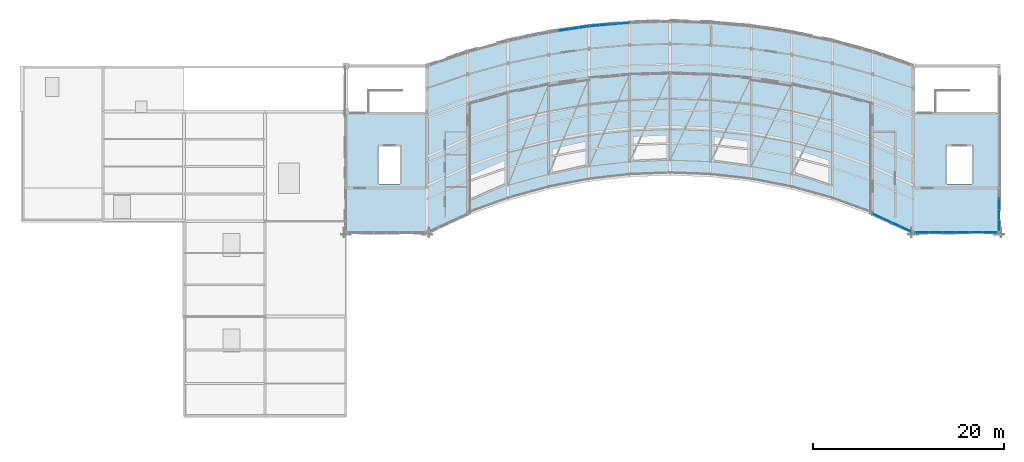
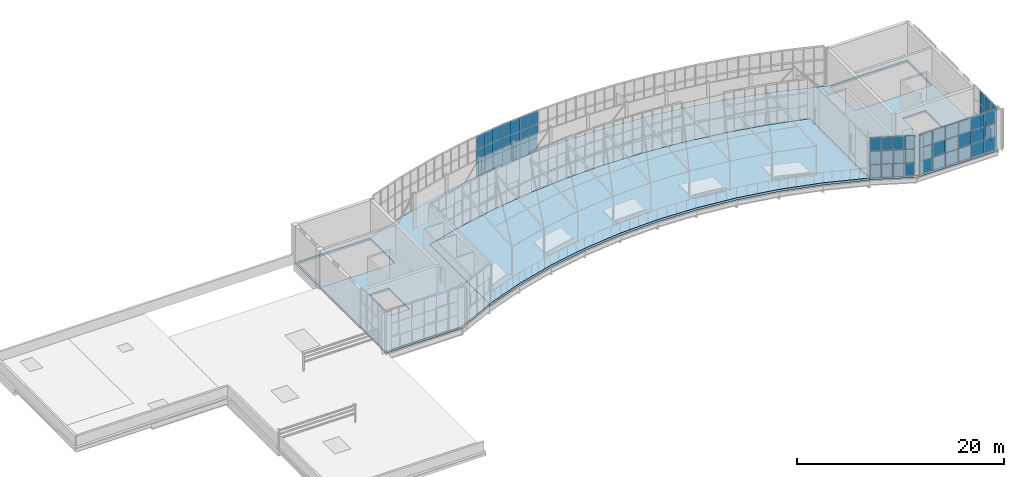
# One storey, part 27 of 35: 60 plates, 2 slabs, 5 elements without a shape of their own.
"""IFC4 building model written with IfcOpenShell, lengths in metres."""

from ifc_helpers import new_model, si_unit, direction, frame, origin, origin_2d, place, context, subcontext, project, spatial, polyline, rectangle, outline, extrude, material, layer, layer_set, type_object, element, aggregate, save


model = new_model("IFC4")

# Units and contexts
model_context = context("Model", 3, precision=1e-05, world=origin(), true_north=direction((0.0, 1.0)))
body_context = subcontext(model_context, "Body", "Model", "MODEL_VIEW")
ifc_project = project(units=[si_unit("LENGTHUNIT", "METRE"), si_unit("AREAUNIT", "SQUARE_METRE"), si_unit("VOLUMEUNIT", "CUBIC_METRE"), si_unit("PLANEANGLEUNIT", "RADIAN"), si_unit("MASSUNIT", "GRAM", prefix="KILO")], contexts=[model_context])

# Site, building, storey
site_placement = place(None, origin())
site = spatial("IfcSite", under=ifc_project, at=site_placement, CompositionType="ELEMENT")
building_placement = place(site_placement, origin())
building = spatial("IfcBuilding", under=site, at=building_placement, Name="Solvikara Media Centre", CompositionType="ELEMENT")
storey_placement = place(building_placement, frame((0.0, 0.0, 29.39990234375)))
storey = spatial("IfcBuildingStorey", under=building, at=storey_placement, Name="L06", CompositionType="ELEMENT", Elevation=29.39990234375)

# Curtain wall, plates
ifc_material_1 = material(Name="Anodised aluminium EN AW-6063", Category="aluminium")
curtain_wall_type = type_object("IfcCurtainWallType", Name="CW-13", PredefinedType="NOTDEFINED", material=ifc_material_1)
curtain_wall_1_placement = place(storey_placement, origin())
curtain_wall_1 = element("IfcCurtainWall", 1, at=curtain_wall_1_placement, inside=storey, type_object=curtain_wall_type, Name="CW-L06-NARC-03", PredefinedType="NOTDEFINED")
ifc_material_2 = material(Name="Laminated solar-control cyan vision glass", Category="glass")
ifc_layer_1 = layer(ifc_material_2, 0.035888671875)
ifc_layer_set_1 = layer_set([ifc_layer_1], Name="Laminated solar-control cyan vision glass")
plate_type_1 = type_object("IfcPlateType", Name="PN-04", PredefinedType="CURTAIN_PANEL", material=ifc_layer_set_1)
plate_1_placement = place(storey_placement, frame((90.85302734375, 40.568115234375, 0.03466796875), z_axis=(0.0, 0.0, 1.0), x_axis=(0.989005541908, 0.147878457102, 0.0)))
plate_1 = element("IfcPlate", 2, at=plate_1_placement, type_object=plate_type_1, Name="CW-L06-NARC-03-P0100", PredefinedType="CURTAIN_PANEL", context=body_context, shape_type="SweptSolid", body=[
    extrude(rectangle(XDim=1.027099609375, YDim=0.035888671875, at=origin_2d()), origin(), (0.0, 0.0, 1.0), 1.556884765625),
])
plate_2_placement = place(storey_placement, frame((90.85302734375, 40.568115234375, 3.20849609375), z_axis=(0.0, 0.0, 1.0), x_axis=(0.989005541908, 0.147878457102, 0.0)))
plate_2 = element("IfcPlate", 3, at=plate_2_placement, type_object=plate_type_1, Name="CW-L06-NARC-03-P0102", PredefinedType="CURTAIN_PANEL", context=body_context, shape_type="SweptSolid", body=[
    extrude(rectangle(XDim=1.027099609375, YDim=0.035888671875, at=origin_2d()), origin(), (0.0, 0.0, 1.0), 1.556884765625),
])
plate_3_placement = place(storey_placement, frame((91.89794921875, 40.72509765625, 1.62158203125), z_axis=(0.0, 0.0, 1.0), x_axis=(0.989005541908, 0.147878457102, 0.0)))
plate_3 = element("IfcPlate", 4, at=plate_3_placement, type_object=plate_type_1, Name="CW-L06-NARC-03-P0201", PredefinedType="CURTAIN_PANEL", context=body_context, shape_type="SweptSolid", body=[
    extrude(rectangle(XDim=1.027099609375, YDim=0.035888671875, at=origin_2d()), origin(), (0.0, 0.0, 1.0), 1.556884765625),
])
plate_4_placement = place(storey_placement, frame((91.89794921875, 40.72509765625, 3.20849609375), z_axis=(0.0, 0.0, 1.0), x_axis=(0.989005541908, 0.147878457102, 0.0)))
plate_4 = element("IfcPlate", 5, at=plate_4_placement, type_object=plate_type_1, Name="CW-L06-NARC-03-P0202", PredefinedType="CURTAIN_PANEL", context=body_context, shape_type="SweptSolid", body=[
    extrude(rectangle(XDim=1.027099609375, YDim=0.035888671875, at=origin_2d()), origin(), (0.0, 0.0, 1.0), 1.556884765625),
])
plate_5_placement = place(storey_placement, frame((92.94189453125, 40.881103515625, 0.03466796875), z_axis=(0.0, 0.0, 1.0), x_axis=(0.989005541908, 0.147878457102, 0.0)))
plate_5 = element("IfcPlate", 6, at=plate_5_placement, type_object=plate_type_1, Name="CW-L06-NARC-03-P0300", PredefinedType="CURTAIN_PANEL", context=body_context, shape_type="SweptSolid", body=[
    extrude(rectangle(XDim=1.027099609375, YDim=0.035888671875, at=origin_2d()), origin(), (0.0, 0.0, 1.0), 1.556884765625),
])
plate_6_placement = place(storey_placement, frame((92.94189453125, 40.881103515625, 1.62158203125), z_axis=(0.0, 0.0, 1.0), x_axis=(0.989005541908, 0.147878457102, 0.0)))
plate_6 = element("IfcPlate", 7, at=plate_6_placement, type_object=plate_type_1, Name="CW-L06-NARC-03-P0301", PredefinedType="CURTAIN_PANEL", context=body_context, shape_type="SweptSolid", body=[
    extrude(rectangle(XDim=1.027099609375, YDim=0.035888671875, at=origin_2d()), origin(), (0.0, 0.0, 1.0), 1.556884765625),
])

curtain_wall_2_placement = place(storey_placement, origin())
curtain_wall_2 = element("IfcCurtainWall", 8, at=curtain_wall_2_placement, inside=storey, type_object=curtain_wall_type, Name="CW-L06-NARC-04", PredefinedType="NOTDEFINED")
plate_7_placement = place(storey_placement, frame((94.05810546875, 41.012939453125, 0.03466796875), z_axis=(0.0, 0.0, 1.0), x_axis=(0.99608438842, 0.088407528781, 0.0)))
plate_7 = element("IfcPlate", 9, at=plate_7_placement, type_object=plate_type_1, Name="CW-L06-NARC-04-P0000", PredefinedType="CURTAIN_PANEL", context=body_context, shape_type="SweptSolid", body=[
    extrude(rectangle(XDim=1.01904296875, YDim=0.035888671875, at=origin_2d()), origin(), (0.0, 0.0, 1.0), 1.556884765625),
])
plate_8_placement = place(storey_placement, frame((95.10302734375, 41.10595703125, 3.20849609375), z_axis=(0.0, 0.0, 1.0), x_axis=(0.99608438842, 0.088407528781, 0.0)))
plate_8 = element("IfcPlate", 10, at=plate_8_placement, type_object=plate_type_1, Name="CW-L06-NARC-04-P0102", PredefinedType="CURTAIN_PANEL", context=body_context, shape_type="SweptSolid", body=[
    extrude(rectangle(XDim=1.01904296875, YDim=0.035888671875, at=origin_2d()), origin(), (0.0, 0.0, 1.0), 1.556884765625),
])
plate_9_placement = place(storey_placement, frame((97.193115234375, 41.2919921875, 3.20849609375), z_axis=(0.0, 0.0, 1.0), x_axis=(0.99608438842, 0.088407528781, 0.0)))
plate_9 = element("IfcPlate", 11, at=plate_9_placement, type_object=plate_type_1, Name="CW-L06-NARC-04-P0302", PredefinedType="CURTAIN_PANEL", context=body_context, shape_type="SweptSolid", body=[
    extrude(rectangle(XDim=1.01904296875, YDim=0.035888671875, at=origin_2d()), origin(), (0.0, 0.0, 1.0), 1.556884765625),
])

curtain_wall_3_placement = place(storey_placement, origin())
curtain_wall_3 = element("IfcCurtainWall", 12, at=curtain_wall_3_placement, inside=storey, type_object=curtain_wall_type, Name="CW-L06-SARC-11", PredefinedType="NOTDEFINED")
plate_10_placement = place(storey_placement, frame((123.778076171875, 21.035888671875, 0.03466796875), z_axis=(0.0, 0.0, 1.0), x_axis=(0.908544639849, -0.417787789915, 0.0)))
plate_10 = element("IfcPlate", 13, at=plate_10_placement, type_object=plate_type_1, Name="CW-L06-SARC-11-P0000", PredefinedType="CURTAIN_PANEL", context=body_context, shape_type="SweptSolid", body=[
    extrude(rectangle(XDim=1.06298828125, YDim=0.035888671875, at=origin_2d()), origin(), (0.0, 0.0, 1.0), 1.556884765625),
])
plate_11_placement = place(storey_placement, frame((123.778076171875, 21.035888671875, 1.62158203125), z_axis=(0.0, 0.0, 1.0), x_axis=(0.908544639849, -0.417787789915, 0.0)))
plate_11 = element("IfcPlate", 14, at=plate_11_placement, type_object=plate_type_1, Name="CW-L06-SARC-11-P0001", PredefinedType="CURTAIN_PANEL", context=body_context, shape_type="SweptSolid", body=[
    extrude(rectangle(XDim=1.06298828125, YDim=0.035888671875, at=origin_2d()), origin(), (0.0, 0.0, 1.0), 1.556884765625),
])
plate_12_placement = place(storey_placement, frame((123.778076171875, 21.035888671875, 3.20849609375), z_axis=(0.0, 0.0, 1.0), x_axis=(0.908544639849, -0.417787789915, 0.0)))
plate_12 = element("IfcPlate", 15, at=plate_12_placement, type_object=plate_type_1, Name="CW-L06-SARC-11-P0002", PredefinedType="CURTAIN_PANEL", context=body_context, shape_type="SweptSolid", body=[
    extrude(rectangle(XDim=1.06298828125, YDim=0.035888671875, at=origin_2d()), origin(), (0.0, 0.0, 1.0), 1.556884765625),
])
plate_13_placement = place(storey_placement, frame((124.77099609375, 20.5791015625, 0.03466796875), z_axis=(0.0, 0.0, 1.0), x_axis=(0.908544639849, -0.417787789915, 0.0)))
plate_13 = element("IfcPlate", 16, at=plate_13_placement, type_object=plate_type_1, Name="CW-L06-SARC-11-P0100", PredefinedType="CURTAIN_PANEL", context=body_context, shape_type="SweptSolid", body=[
    extrude(rectangle(XDim=1.06298828125, YDim=0.035888671875, at=origin_2d()), origin(), (0.0, 0.0, 1.0), 1.556884765625),
])
plate_14_placement = place(storey_placement, frame((124.77099609375, 20.5791015625, 1.62158203125), z_axis=(0.0, 0.0, 1.0), x_axis=(0.908544639849, -0.417787789915, 0.0)))
plate_14 = element("IfcPlate", 17, at=plate_14_placement, type_object=plate_type_1, Name="CW-L06-SARC-11-P0101", PredefinedType="CURTAIN_PANEL", context=body_context, shape_type="SweptSolid", body=[
    extrude(rectangle(XDim=1.06298828125, YDim=0.035888671875, at=origin_2d()), origin(), (0.0, 0.0, 1.0), 1.556884765625),
])
plate_15_placement = place(storey_placement, frame((124.77099609375, 20.5791015625, 3.20849609375), z_axis=(0.0, 0.0, 1.0), x_axis=(0.908544639849, -0.417787789915, 0.0)))
plate_15 = element("IfcPlate", 18, at=plate_15_placement, type_object=plate_type_1, Name="CW-L06-SARC-11-P0102", PredefinedType="CURTAIN_PANEL", context=body_context, shape_type="SweptSolid", body=[
    extrude(rectangle(XDim=1.06298828125, YDim=0.035888671875, at=origin_2d()), origin(), (0.0, 0.0, 1.0), 1.556884765625),
])
plate_16_placement = place(storey_placement, frame((125.763916015625, 20.123046875, 0.03466796875), z_axis=(0.0, 0.0, 1.0), x_axis=(0.908544639849, -0.417787789915, 0.0)))
plate_16 = element("IfcPlate", 19, at=plate_16_placement, type_object=plate_type_1, Name="CW-L06-SARC-11-P0200", PredefinedType="CURTAIN_PANEL", context=body_context, shape_type="SweptSolid", body=[
    extrude(rectangle(XDim=1.06298828125, YDim=0.035888671875, at=origin_2d()), origin(), (0.0, 0.0, 1.0), 1.556884765625),
])
plate_17_placement = place(storey_placement, frame((125.763916015625, 20.123046875, 1.62158203125), z_axis=(0.0, 0.0, 1.0), x_axis=(0.908544639849, -0.417787789915, 0.0)))
plate_17 = element("IfcPlate", 20, at=plate_17_placement, type_object=plate_type_1, Name="CW-L06-SARC-11-P0201", PredefinedType="CURTAIN_PANEL", context=body_context, shape_type="SweptSolid", body=[
    extrude(rectangle(XDim=1.06298828125, YDim=0.035888671875, at=origin_2d()), origin(), (0.0, 0.0, 1.0), 1.556884765625),
])
plate_18_placement = place(storey_placement, frame((126.756103515625, 19.666015625, 0.03466796875), z_axis=(0.0, 0.0, 1.0), x_axis=(0.908544639849, -0.417787789915, 0.0)))
plate_18 = element("IfcPlate", 21, at=plate_18_placement, type_object=plate_type_1, Name="CW-L06-SARC-11-P0300", PredefinedType="CURTAIN_PANEL", context=body_context, shape_type="SweptSolid", body=[
    extrude(rectangle(XDim=1.06298828125, YDim=0.035888671875, at=origin_2d()), origin(), (0.0, 0.0, 1.0), 1.556884765625),
])
plate_19_placement = place(storey_placement, frame((126.756103515625, 19.666015625, 1.62158203125), z_axis=(0.0, 0.0, 1.0), x_axis=(0.908544639849, -0.417787789915, 0.0)))
plate_19 = element("IfcPlate", 22, at=plate_19_placement, type_object=plate_type_1, Name="CW-L06-SARC-11-P0301", PredefinedType="CURTAIN_PANEL", context=body_context, shape_type="SweptSolid", body=[
    extrude(rectangle(XDim=1.06298828125, YDim=0.035888671875, at=origin_2d()), origin(), (0.0, 0.0, 1.0), 1.556884765625),
])
plate_20_placement = place(storey_placement, frame((126.756103515625, 19.666015625, 3.20849609375), z_axis=(0.0, 0.0, 1.0), x_axis=(0.908544639849, -0.417787789915, 0.0)))
plate_20 = element("IfcPlate", 23, at=plate_20_placement, type_object=plate_type_1, Name="CW-L06-SARC-11-P0302", PredefinedType="CURTAIN_PANEL", context=body_context, shape_type="SweptSolid", body=[
    extrude(rectangle(XDim=1.06298828125, YDim=0.035888671875, at=origin_2d()), origin(), (0.0, 0.0, 1.0), 1.556884765625),
])

curtain_wall_4_placement = place(storey_placement, origin())
curtain_wall_4 = element("IfcCurtainWall", 24, at=curtain_wall_4_placement, inside=storey, type_object=curtain_wall_type, Name="CW-L06-BHES", PredefinedType="NOTDEFINED")
plate_21_placement = place(storey_placement, frame((128.428955078125, 19.323974609375, 0.03466796875), z_axis=(0.0, 0.0, 1.0), x_axis=(1.0, 0.0, 0.0)))
plate_21 = element("IfcPlate", 25, at=plate_21_placement, type_object=plate_type_1, Name="CW-L06-BHES-P0000", PredefinedType="CURTAIN_PANEL", context=body_context, shape_type="SweptSolid", body=[
    extrude(rectangle(XDim=1.39794921875, YDim=0.035888671875, at=origin_2d()), origin(), (0.0, 0.0, 1.0), 1.556884765625),
])
plate_22_placement = place(storey_placement, frame((128.428955078125, 19.323974609375, 1.62158203125), z_axis=(0.0, 0.0, 1.0), x_axis=(1.0, 0.0, 0.0)))
plate_22 = element("IfcPlate", 26, at=plate_22_placement, type_object=plate_type_1, Name="CW-L06-BHES-P0001", PredefinedType="CURTAIN_PANEL", context=body_context, shape_type="SweptSolid", body=[
    extrude(rectangle(XDim=1.39794921875, YDim=0.035888671875, at=origin_2d()), origin(), (0.0, 0.0, 1.0), 1.556884765625),
])
plate_23_placement = place(storey_placement, frame((128.428955078125, 19.323974609375, 3.20849609375), z_axis=(0.0, 0.0, 1.0), x_axis=(1.0, 0.0, 0.0)))
plate_23 = element("IfcPlate", 27, at=plate_23_placement, type_object=plate_type_1, Name="CW-L06-BHES-P0002", PredefinedType="CURTAIN_PANEL", context=body_context, shape_type="SweptSolid", body=[
    extrude(rectangle(XDim=1.39794921875, YDim=0.035888671875, at=origin_2d()), origin(), (0.0, 0.0, 1.0), 1.556884765625),
])
plate_24_placement = place(storey_placement, frame((129.85693359375, 19.323974609375, 0.03466796875), z_axis=(0.0, 0.0, 1.0), x_axis=(1.0, 0.0, 0.0)))
plate_24 = element("IfcPlate", 28, at=plate_24_placement, type_object=plate_type_1, Name="CW-L06-BHES-P0100", PredefinedType="CURTAIN_PANEL", context=body_context, shape_type="SweptSolid", body=[
    extrude(rectangle(XDim=1.39794921875, YDim=0.035888671875, at=origin_2d()), origin(), (0.0, 0.0, 1.0), 1.556884765625),
])
plate_25_placement = place(storey_placement, frame((131.285888671875, 19.323974609375, 0.03466796875), z_axis=(0.0, 0.0, 1.0), x_axis=(1.0, 0.0, 0.0)))
plate_25 = element("IfcPlate", 29, at=plate_25_placement, type_object=plate_type_1, Name="CW-L06-BHES-P0200", PredefinedType="CURTAIN_PANEL", context=body_context, shape_type="SweptSolid", body=[
    extrude(rectangle(XDim=1.39794921875, YDim=0.035888671875, at=origin_2d()), origin(), (0.0, 0.0, 1.0), 1.556884765625),
])
plate_26_placement = place(storey_placement, frame((131.285888671875, 19.323974609375, 1.62158203125), z_axis=(0.0, 0.0, 1.0), x_axis=(1.0, 0.0, 0.0)))
plate_26 = element("IfcPlate", 30, at=plate_26_placement, type_object=plate_type_1, Name="CW-L06-BHES-P0201", PredefinedType="CURTAIN_PANEL", context=body_context, shape_type="SweptSolid", body=[
    extrude(rectangle(XDim=1.39794921875, YDim=0.035888671875, at=origin_2d()), origin(), (0.0, 0.0, 1.0), 1.556884765625),
])
plate_27_placement = place(storey_placement, frame((131.285888671875, 19.323974609375, 3.20849609375), z_axis=(0.0, 0.0, 1.0), x_axis=(1.0, 0.0, 0.0)))
plate_27 = element("IfcPlate", 31, at=plate_27_placement, type_object=plate_type_1, Name="CW-L06-BHES-P0202", PredefinedType="CURTAIN_PANEL", context=body_context, shape_type="SweptSolid", body=[
    extrude(rectangle(XDim=1.39794921875, YDim=0.035888671875, at=origin_2d()), origin(), (0.0, 0.0, 1.0), 1.556884765625),
])
plate_28_placement = place(storey_placement, frame((132.714111328125, 19.323974609375, 0.03466796875), z_axis=(0.0, 0.0, 1.0), x_axis=(1.0, 0.0, 0.0)))
plate_28 = element("IfcPlate", 32, at=plate_28_placement, type_object=plate_type_1, Name="CW-L06-BHES-P0300", PredefinedType="CURTAIN_PANEL", context=body_context, shape_type="SweptSolid", body=[
    extrude(rectangle(XDim=1.39794921875, YDim=0.035888671875, at=origin_2d()), origin(), (0.0, 0.0, 1.0), 1.556884765625),
])
plate_29_placement = place(storey_placement, frame((132.714111328125, 19.323974609375, 1.62158203125), z_axis=(0.0, 0.0, 1.0), x_axis=(1.0, 0.0, 0.0)))
plate_29 = element("IfcPlate", 33, at=plate_29_placement, type_object=plate_type_1, Name="CW-L06-BHES-P0301", PredefinedType="CURTAIN_PANEL", context=body_context, shape_type="SweptSolid", body=[
    extrude(rectangle(XDim=1.39794921875, YDim=0.035888671875, at=origin_2d()), origin(), (0.0, 0.0, 1.0), 1.556884765625),
])
plate_30_placement = place(storey_placement, frame((134.14208984375, 19.323974609375, 0.03466796875), z_axis=(0.0, 0.0, 1.0), x_axis=(1.0, 0.0, 0.0)))
plate_30 = element("IfcPlate", 34, at=plate_30_placement, type_object=plate_type_1, Name="CW-L06-BHES-P0400", PredefinedType="CURTAIN_PANEL", context=body_context, shape_type="SweptSolid", body=[
    extrude(rectangle(XDim=1.39794921875, YDim=0.035888671875, at=origin_2d()), origin(), (0.0, 0.0, 1.0), 1.556884765625),
])
plate_31_placement = place(storey_placement, frame((134.14208984375, 19.323974609375, 1.62158203125), z_axis=(0.0, 0.0, 1.0), x_axis=(1.0, 0.0, 0.0)))
plate_31 = element("IfcPlate", 35, at=plate_31_placement, type_object=plate_type_1, Name="CW-L06-BHES-P0401", PredefinedType="CURTAIN_PANEL", context=body_context, shape_type="SweptSolid", body=[
    extrude(rectangle(XDim=1.39794921875, YDim=0.035888671875, at=origin_2d()), origin(), (0.0, 0.0, 1.0), 1.556884765625),
])
plate_32_placement = place(storey_placement, frame((134.14208984375, 19.323974609375, 3.20849609375), z_axis=(0.0, 0.0, 1.0), x_axis=(1.0, 0.0, 0.0)))
plate_32 = element("IfcPlate", 36, at=plate_32_placement, type_object=plate_type_1, Name="CW-L06-BHES-P0402", PredefinedType="CURTAIN_PANEL", context=body_context, shape_type="SweptSolid", body=[
    extrude(rectangle(XDim=1.39794921875, YDim=0.035888671875, at=origin_2d()), origin(), (0.0, 0.0, 1.0), 1.556884765625),
])
plate_33_placement = place(storey_placement, frame((135.571044921875, 19.323974609375, 0.03466796875), z_axis=(0.0, 0.0, 1.0), x_axis=(1.0, 0.0, 0.0)))
plate_33 = element("IfcPlate", 37, at=plate_33_placement, type_object=plate_type_1, Name="CW-L06-BHES-P0500", PredefinedType="CURTAIN_PANEL", context=body_context, shape_type="SweptSolid", body=[
    extrude(rectangle(XDim=1.39794921875, YDim=0.035888671875, at=origin_2d()), origin(), (0.0, 0.0, 1.0), 1.556884765625),
])
plate_34_placement = place(storey_placement, frame((135.571044921875, 19.323974609375, 3.20849609375), z_axis=(0.0, 0.0, 1.0), x_axis=(1.0, 0.0, 0.0)))
plate_34 = element("IfcPlate", 38, at=plate_34_placement, type_object=plate_type_1, Name="CW-L06-BHES-P0502", PredefinedType="CURTAIN_PANEL", context=body_context, shape_type="SweptSolid", body=[
    extrude(rectangle(XDim=1.39794921875, YDim=0.035888671875, at=origin_2d()), origin(), (0.0, 0.0, 1.0), 1.556884765625),
])

curtain_wall_5_placement = place(storey_placement, origin())
curtain_wall_5 = element("IfcCurtainWall", 39, at=curtain_wall_5_placement, inside=storey, type_object=curtain_wall_type, Name="CW-L06-BHEE", PredefinedType="NOTDEFINED")
plate_35_placement = place(storey_placement, frame((136.5, 20.092041015625, 0.03466796875), z_axis=(0.0, 0.0, 1.0), x_axis=(0.0, 1.0, 0.0)))
plate_35 = element("IfcPlate", 40, at=plate_35_placement, type_object=plate_type_1, Name="CW-L06-BHEE-P0000", PredefinedType="CURTAIN_PANEL", context=body_context, shape_type="SweptSolid", body=[
    extrude(rectangle(XDim=1.075927734375, YDim=0.035888671875, at=origin_2d()), origin(), (0.0, 0.0, 1.0), 1.556884765625),
])
plate_36_placement = place(storey_placement, frame((136.5, 20.092041015625, 1.62158203125), z_axis=(0.0, 0.0, 1.0), x_axis=(0.0, 1.0, 0.0)))
plate_36 = element("IfcPlate", 41, at=plate_36_placement, type_object=plate_type_1, Name="CW-L06-BHEE-P0001", PredefinedType="CURTAIN_PANEL", context=body_context, shape_type="SweptSolid", body=[
    extrude(rectangle(XDim=1.075927734375, YDim=0.035888671875, at=origin_2d()), origin(), (0.0, 0.0, 1.0), 1.556884765625),
])
plate_37_placement = place(storey_placement, frame((136.5, 21.198974609375, 0.03466796875), z_axis=(0.0, 0.0, 1.0), x_axis=(0.0, 1.0, 0.0)))
plate_37 = element("IfcPlate", 42, at=plate_37_placement, type_object=plate_type_1, Name="CW-L06-BHEE-P0100", PredefinedType="CURTAIN_PANEL", context=body_context, shape_type="SweptSolid", body=[
    extrude(rectangle(XDim=1.075927734375, YDim=0.035888671875, at=origin_2d()), origin(), (0.0, 0.0, 1.0), 1.556884765625),
])
plate_38_placement = place(storey_placement, frame((136.5, 21.198974609375, 3.20849609375), z_axis=(0.0, 0.0, 1.0), x_axis=(0.0, 1.0, 0.0)))
plate_38 = element("IfcPlate", 43, at=plate_38_placement, type_object=plate_type_1, Name="CW-L06-BHEE-P0102", PredefinedType="CURTAIN_PANEL", context=body_context, shape_type="SweptSolid", body=[
    extrude(rectangle(XDim=1.075927734375, YDim=0.035888671875, at=origin_2d()), origin(), (0.0, 0.0, 1.0), 1.556884765625),
])
plate_39_placement = place(storey_placement, frame((136.5, 22.304931640625, 0.03466796875), z_axis=(0.0, 0.0, 1.0), x_axis=(0.0, 1.0, 0.0)))
plate_39 = element("IfcPlate", 44, at=plate_39_placement, type_object=plate_type_1, Name="CW-L06-BHEE-P0200", PredefinedType="CURTAIN_PANEL", context=body_context, shape_type="SweptSolid", body=[
    extrude(rectangle(XDim=1.075927734375, YDim=0.035888671875, at=origin_2d()), origin(), (0.0, 0.0, 1.0), 1.556884765625),
])
plate_40_placement = place(storey_placement, frame((136.5, 22.304931640625, 3.20849609375), z_axis=(0.0, 0.0, 1.0), x_axis=(0.0, 1.0, 0.0)))
plate_40 = element("IfcPlate", 45, at=plate_40_placement, type_object=plate_type_1, Name="CW-L06-BHEE-P0202", PredefinedType="CURTAIN_PANEL", context=body_context, shape_type="SweptSolid", body=[
    extrude(rectangle(XDim=1.075927734375, YDim=0.035888671875, at=origin_2d()), origin(), (0.0, 0.0, 1.0), 1.556884765625),
])

# Plate
ifc_material_3 = material(Name="Insulated silver-pearl glass spandrel panel", Category="glass")
ifc_layer_2 = layer(ifc_material_3, 0.054931640625)
ifc_layer_set_2 = layer_set([ifc_layer_2], Name="Insulated silver-pearl glass spandrel panel")
plate_type_2 = type_object("IfcPlateType", Name="PN-05", PredefinedType="CURTAIN_PANEL", material=ifc_layer_set_2)
plate_41_placement = place(storey_placement, frame((90.85302734375, 40.568115234375, 1.62158203125), z_axis=(0.0, 0.0, 1.0), x_axis=(0.989005541908, 0.147878457102, 0.0)))
plate_41 = element("IfcPlate", 46, at=plate_41_placement, type_object=plate_type_2, Name="CW-L06-NARC-03-P0101", PredefinedType="CURTAIN_PANEL", context=body_context, shape_type="SweptSolid", body=[
    extrude(rectangle(XDim=1.027099609375, YDim=0.054931640625, at=origin_2d()), origin(), (0.0, 0.0, 1.0), 1.556884765625),
])

plate_42_placement = place(storey_placement, frame((91.89794921875, 40.72509765625, 0.03466796875), z_axis=(0.0, 0.0, 1.0), x_axis=(0.989005541908, 0.147878457102, 0.0)))
plate_42 = element("IfcPlate", 47, at=plate_42_placement, type_object=plate_type_2, Name="CW-L06-NARC-03-P0200", PredefinedType="CURTAIN_PANEL", context=body_context, shape_type="SweptSolid", body=[
    extrude(rectangle(XDim=1.027099609375, YDim=0.054931640625, at=origin_2d()), origin(), (0.0, 0.0, 1.0), 1.556884765625),
])

plate_43_placement = place(storey_placement, frame((92.94189453125, 40.881103515625, 3.20849609375), z_axis=(0.0, 0.0, 1.0), x_axis=(0.989005541908, 0.147878457102, 0.0)))
plate_43 = element("IfcPlate", 48, at=plate_43_placement, type_object=plate_type_2, Name="CW-L06-NARC-03-P0302", PredefinedType="CURTAIN_PANEL", context=body_context, shape_type="SweptSolid", body=[
    extrude(rectangle(XDim=1.027099609375, YDim=0.054931640625, at=origin_2d()), origin(), (0.0, 0.0, 1.0), 1.556884765625),
])

aggregate(curtain_wall_1, [plate_1, plate_41, plate_2, plate_42, plate_3, plate_4, plate_5, plate_6, plate_43])

plate_44_placement = place(storey_placement, frame((94.05810546875, 41.012939453125, 1.62158203125), z_axis=(0.0, 0.0, 1.0), x_axis=(0.99608438842, 0.088407528781, 0.0)))
plate_44 = element("IfcPlate", 49, at=plate_44_placement, type_object=plate_type_2, Name="CW-L06-NARC-04-P0001", PredefinedType="CURTAIN_PANEL", context=body_context, shape_type="SweptSolid", body=[
    extrude(rectangle(XDim=1.01904296875, YDim=0.054931640625, at=origin_2d()), origin(), (0.0, 0.0, 1.0), 1.556884765625),
])

plate_45_placement = place(storey_placement, frame((94.05810546875, 41.012939453125, 3.20849609375), z_axis=(0.0, 0.0, 1.0), x_axis=(0.99608438842, 0.088407528781, 0.0)))
plate_45 = element("IfcPlate", 50, at=plate_45_placement, type_object=plate_type_2, Name="CW-L06-NARC-04-P0002", PredefinedType="CURTAIN_PANEL", context=body_context, shape_type="SweptSolid", body=[
    extrude(rectangle(XDim=1.01904296875, YDim=0.054931640625, at=origin_2d()), origin(), (0.0, 0.0, 1.0), 1.556884765625),
])

plate_46_placement = place(storey_placement, frame((95.10302734375, 41.10595703125, 0.03466796875), z_axis=(0.0, 0.0, 1.0), x_axis=(0.99608438842, 0.088407528781, 0.0)))
plate_46 = element("IfcPlate", 51, at=plate_46_placement, type_object=plate_type_2, Name="CW-L06-NARC-04-P0100", PredefinedType="CURTAIN_PANEL", context=body_context, shape_type="SweptSolid", body=[
    extrude(rectangle(XDim=1.01904296875, YDim=0.054931640625, at=origin_2d()), origin(), (0.0, 0.0, 1.0), 1.556884765625),
])

plate_47_placement = place(storey_placement, frame((95.10302734375, 41.10595703125, 1.62158203125), z_axis=(0.0, 0.0, 1.0), x_axis=(0.99608438842, 0.088407528781, 0.0)))
plate_47 = element("IfcPlate", 52, at=plate_47_placement, type_object=plate_type_2, Name="CW-L06-NARC-04-P0101", PredefinedType="CURTAIN_PANEL", context=body_context, shape_type="SweptSolid", body=[
    extrude(rectangle(XDim=1.01904296875, YDim=0.054931640625, at=origin_2d()), origin(), (0.0, 0.0, 1.0), 1.556884765625),
])

plate_48_placement = place(storey_placement, frame((96.14794921875, 41.198974609375, 0.03466796875), z_axis=(0.0, 0.0, 1.0), x_axis=(0.99608438842, 0.088407528781, 0.0)))
plate_48 = element("IfcPlate", 53, at=plate_48_placement, type_object=plate_type_2, Name="CW-L06-NARC-04-P0200", PredefinedType="CURTAIN_PANEL", context=body_context, shape_type="SweptSolid", body=[
    extrude(rectangle(XDim=1.01904296875, YDim=0.054931640625, at=origin_2d()), origin(), (0.0, 0.0, 1.0), 1.556884765625),
])

plate_49_placement = place(storey_placement, frame((96.14794921875, 41.198974609375, 1.62158203125), z_axis=(0.0, 0.0, 1.0), x_axis=(0.99608438842, 0.088407528781, 0.0)))
plate_49 = element("IfcPlate", 54, at=plate_49_placement, type_object=plate_type_2, Name="CW-L06-NARC-04-P0201", PredefinedType="CURTAIN_PANEL", context=body_context, shape_type="SweptSolid", body=[
    extrude(rectangle(XDim=1.01904296875, YDim=0.054931640625, at=origin_2d()), origin(), (0.0, 0.0, 1.0), 1.556884765625),
])

plate_50_placement = place(storey_placement, frame((96.14794921875, 41.198974609375, 3.20849609375), z_axis=(0.0, 0.0, 1.0), x_axis=(0.99608438842, 0.088407528781, 0.0)))
plate_50 = element("IfcPlate", 55, at=plate_50_placement, type_object=plate_type_2, Name="CW-L06-NARC-04-P0202", PredefinedType="CURTAIN_PANEL", context=body_context, shape_type="SweptSolid", body=[
    extrude(rectangle(XDim=1.01904296875, YDim=0.054931640625, at=origin_2d()), origin(), (0.0, 0.0, 1.0), 1.556884765625),
])

plate_51_placement = place(storey_placement, frame((97.193115234375, 41.2919921875, 0.03466796875), z_axis=(0.0, 0.0, 1.0), x_axis=(0.99608438842, 0.088407528781, 0.0)))
plate_51 = element("IfcPlate", 56, at=plate_51_placement, type_object=plate_type_2, Name="CW-L06-NARC-04-P0300", PredefinedType="CURTAIN_PANEL", context=body_context, shape_type="SweptSolid", body=[
    extrude(rectangle(XDim=1.01904296875, YDim=0.054931640625, at=origin_2d()), origin(), (0.0, 0.0, 1.0), 1.556884765625),
])

plate_52_placement = place(storey_placement, frame((97.193115234375, 41.2919921875, 1.62158203125), z_axis=(0.0, 0.0, 1.0), x_axis=(0.99608438842, 0.088407528781, 0.0)))
plate_52 = element("IfcPlate", 57, at=plate_52_placement, type_object=plate_type_2, Name="CW-L06-NARC-04-P0301", PredefinedType="CURTAIN_PANEL", context=body_context, shape_type="SweptSolid", body=[
    extrude(rectangle(XDim=1.01904296875, YDim=0.054931640625, at=origin_2d()), origin(), (0.0, 0.0, 1.0), 1.556884765625),
])

aggregate(curtain_wall_2, [plate_7, plate_44, plate_45, plate_46, plate_47, plate_8, plate_48, plate_49, plate_50, plate_51, plate_52, plate_9])

plate_53_placement = place(storey_placement, frame((125.763916015625, 20.123046875, 3.20849609375), z_axis=(0.0, 0.0, 1.0), x_axis=(0.908544639849, -0.417787789915, 0.0)))
plate_53 = element("IfcPlate", 58, at=plate_53_placement, type_object=plate_type_2, Name="CW-L06-SARC-11-P0202", PredefinedType="CURTAIN_PANEL", context=body_context, shape_type="SweptSolid", body=[
    extrude(rectangle(XDim=1.06298828125, YDim=0.054931640625, at=origin_2d()), origin(), (0.0, 0.0, 1.0), 1.556884765625),
])

aggregate(curtain_wall_3, [plate_10, plate_11, plate_12, plate_13, plate_14, plate_15, plate_16, plate_17, plate_53, plate_18, plate_19, plate_20])

plate_54_placement = place(storey_placement, frame((129.85693359375, 19.323974609375, 1.62158203125), z_axis=(0.0, 0.0, 1.0), x_axis=(1.0, 0.0, 0.0)))
plate_54 = element("IfcPlate", 59, at=plate_54_placement, type_object=plate_type_2, Name="CW-L06-BHES-P0101", PredefinedType="CURTAIN_PANEL", context=body_context, shape_type="SweptSolid", body=[
    extrude(rectangle(XDim=1.39794921875, YDim=0.054931640625, at=origin_2d()), origin(), (0.0, 0.0, 1.0), 1.556884765625),
])

plate_55_placement = place(storey_placement, frame((129.85693359375, 19.323974609375, 3.20849609375), z_axis=(0.0, 0.0, 1.0), x_axis=(1.0, 0.0, 0.0)))
plate_55 = element("IfcPlate", 60, at=plate_55_placement, type_object=plate_type_2, Name="CW-L06-BHES-P0102", PredefinedType="CURTAIN_PANEL", context=body_context, shape_type="SweptSolid", body=[
    extrude(rectangle(XDim=1.39794921875, YDim=0.054931640625, at=origin_2d()), origin(), (0.0, 0.0, 1.0), 1.556884765625),
])

plate_56_placement = place(storey_placement, frame((132.714111328125, 19.323974609375, 3.20849609375), z_axis=(0.0, 0.0, 1.0), x_axis=(1.0, 0.0, 0.0)))
plate_56 = element("IfcPlate", 61, at=plate_56_placement, type_object=plate_type_2, Name="CW-L06-BHES-P0302", PredefinedType="CURTAIN_PANEL", context=body_context, shape_type="SweptSolid", body=[
    extrude(rectangle(XDim=1.39794921875, YDim=0.054931640625, at=origin_2d()), origin(), (0.0, 0.0, 1.0), 1.556884765625),
])

plate_57_placement = place(storey_placement, frame((135.571044921875, 19.323974609375, 1.62158203125), z_axis=(0.0, 0.0, 1.0), x_axis=(1.0, 0.0, 0.0)))
plate_57 = element("IfcPlate", 62, at=plate_57_placement, type_object=plate_type_2, Name="CW-L06-BHES-P0501", PredefinedType="CURTAIN_PANEL", context=body_context, shape_type="SweptSolid", body=[
    extrude(rectangle(XDim=1.39794921875, YDim=0.054931640625, at=origin_2d()), origin(), (0.0, 0.0, 1.0), 1.556884765625),
])

aggregate(curtain_wall_4, [plate_21, plate_22, plate_23, plate_24, plate_54, plate_55, plate_25, plate_26, plate_27, plate_28, plate_29, plate_56, plate_30, plate_31, plate_32, plate_33, plate_57, plate_34])

plate_58_placement = place(storey_placement, frame((136.5, 20.092041015625, 3.20849609375), z_axis=(0.0, 0.0, 1.0), x_axis=(0.0, 1.0, 0.0)))
plate_58 = element("IfcPlate", 63, at=plate_58_placement, type_object=plate_type_2, Name="CW-L06-BHEE-P0002", PredefinedType="CURTAIN_PANEL", context=body_context, shape_type="SweptSolid", body=[
    extrude(rectangle(XDim=1.075927734375, YDim=0.054931640625, at=origin_2d()), origin(), (0.0, 0.0, 1.0), 1.556884765625),
])

plate_59_placement = place(storey_placement, frame((136.5, 21.198974609375, 1.62158203125), z_axis=(0.0, 0.0, 1.0), x_axis=(0.0, 1.0, 0.0)))
plate_59 = element("IfcPlate", 64, at=plate_59_placement, type_object=plate_type_2, Name="CW-L06-BHEE-P0101", PredefinedType="CURTAIN_PANEL", context=body_context, shape_type="SweptSolid", body=[
    extrude(rectangle(XDim=1.075927734375, YDim=0.054931640625, at=origin_2d()), origin(), (0.0, 0.0, 1.0), 1.556884765625),
])

plate_60_placement = place(storey_placement, frame((136.5, 22.304931640625, 1.62158203125), z_axis=(0.0, 0.0, 1.0), x_axis=(0.0, 1.0, 0.0)))
plate_60 = element("IfcPlate", 65, at=plate_60_placement, type_object=plate_type_2, Name="CW-L06-BHEE-P0201", PredefinedType="CURTAIN_PANEL", context=body_context, shape_type="SweptSolid", body=[
    extrude(rectangle(XDim=1.075927734375, YDim=0.054931640625, at=origin_2d()), origin(), (0.0, 0.0, 1.0), 1.556884765625),
])

aggregate(curtain_wall_5, [plate_35, plate_36, plate_58, plate_37, plate_59, plate_38, plate_39, plate_60, plate_40])

# Slabs
ifc_material_4 = material(Name="Concrete fc' 35 MPa (C35/45)", Category="concrete")
ifc_layer_3 = layer(ifc_material_4, 0.219970703125)
ifc_layer_set_3 = layer_set([ifc_layer_3], Name="Concrete fc' 35 MPa (C35/45)")
slab_type_1 = type_object("IfcSlabType", Name="ST-08", PredefinedType="FLOOR", material=ifc_layer_set_3)
slab_1_placement = place(storey_placement, frame((0.0, 0.0, -0.219970703125)))
element("IfcSlab", 66, at=slab_1_placement, inside=storey, type_object=slab_type_1, Name="SL-L06-V7", PredefinedType="FLOOR", context=body_context, shape_type="SweptSolid", body=[
    extrude(outline(polyline([(68.0, 19.323974609375), (76.5, 19.323974609375), (80.75, 21.279052734375), (80.75, 32.860107421875), (85.0, 34.031005859375), (89.25, 34.928955078125), (93.5, 35.56396484375), (97.75, 35.94091796875), (102.0, 36.06689453125), (106.25, 35.94091796875), (110.5, 35.56396484375), (114.75, 34.928955078125), (119.0, 34.031005859375), (123.25, 32.860107421875), (123.25, 21.279052734375), (127.5, 19.323974609375), (136.5, 19.323974609375), (136.5, 36.800048828125), (127.5, 36.800048828125), (123.25, 38.260009765625), (119.0, 39.430908203125), (114.75, 40.3291015625), (110.5, 40.964111328125), (106.25, 41.341064453125), (102.0, 41.467041015625), (97.75, 41.341064453125), (93.5, 40.964111328125), (89.25, 40.3291015625), (85.0, 39.430908203125), (80.75, 38.260009765625), (76.5, 36.800048828125), (68.0, 36.800048828125), (68.0, 19.323974609375)]), holes=[polyline([(68.179931640625, 31.85009765625), (76.320068359375, 31.85009765625), (76.320068359375, 36.6201171875), (68.179931640625, 36.6201171875), (68.179931640625, 31.85009765625)]), polyline([(71.449951171875, 24.39990234375), (73.64990234375, 24.39990234375), (73.64990234375, 28.449951171875), (71.449951171875, 28.449951171875), (71.449951171875, 24.39990234375)]), polyline([(127.679931640625, 31.85009765625), (136.320068359375, 31.85009765625), (136.320068359375, 36.6201171875), (127.679931640625, 36.6201171875), (127.679931640625, 31.85009765625)]), polyline([(131.050048828125, 24.39990234375), (133.64990234375, 24.39990234375), (133.64990234375, 28.449951171875), (131.050048828125, 28.449951171875), (131.050048828125, 24.39990234375)])]), origin(), (0.0, 0.0, 1.0), 0.219970703125),
])
ifc_layer_4 = layer(ifc_material_4, 0.27001953125)
ifc_layer_set_4 = layer_set([ifc_layer_4], Name="Concrete fc' 35 MPa (C35/45)")
slab_type_2 = type_object("IfcSlabType", Name="ST-11", PredefinedType="FLOOR", material=ifc_layer_set_4)
slab_2_placement = place(storey_placement, frame((0.0, 0.0, -0.27001953125)))
element("IfcSlab", 67, at=slab_2_placement, inside=storey, type_object=slab_type_2, Name="TER-L06-V7S", PredefinedType="FLOOR", context=body_context, shape_type="SweptSolid", body=[
    extrude(outline(polyline([(80.75, 21.279052734375), (85.0, 22.823974609375), (89.25, 23.99609375), (93.5, 24.818115234375), (97.75, 25.304931640625), (102.0, 25.467041015625), (106.25, 25.304931640625), (110.5, 24.818115234375), (114.75, 23.99609375), (119.0, 22.823974609375), (123.25, 21.279052734375), (123.25, 32.860107421875), (119.0, 34.031005859375), (114.75, 34.928955078125), (110.5, 35.56396484375), (106.25, 35.94091796875), (102.0, 36.06689453125), (97.75, 35.94091796875), (93.5, 35.56396484375), (89.25, 34.928955078125), (85.0, 34.031005859375), (80.75, 32.860107421875), (80.75, 21.279052734375)])), origin(), (0.0, 0.0, 1.0), 0.27001953125),
])

save(model, "model.ifc")
